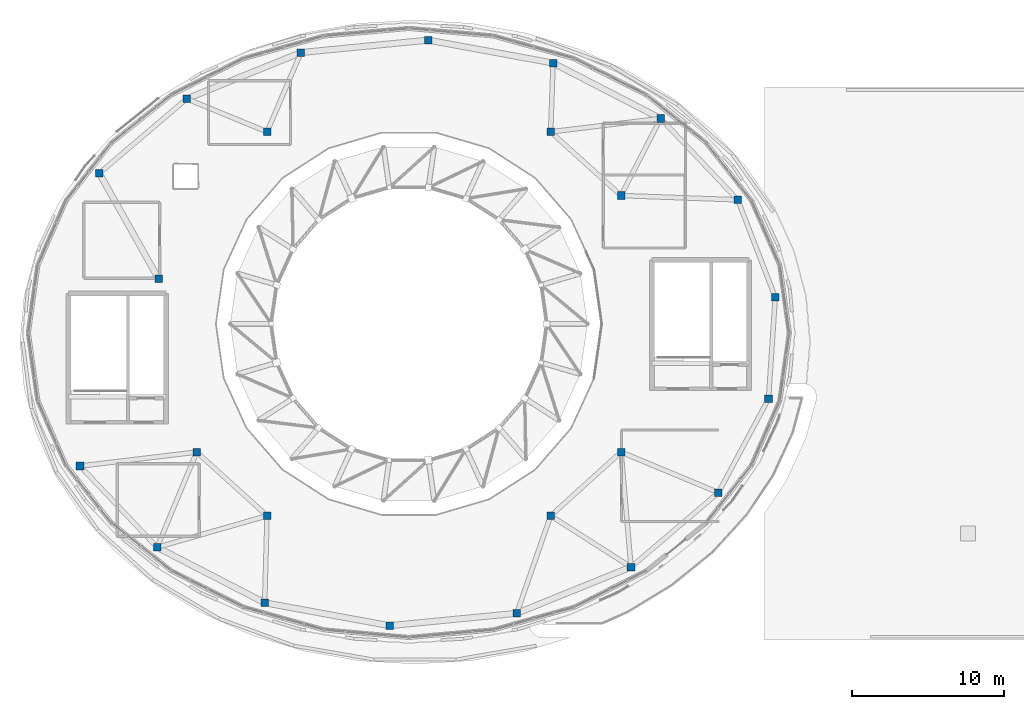
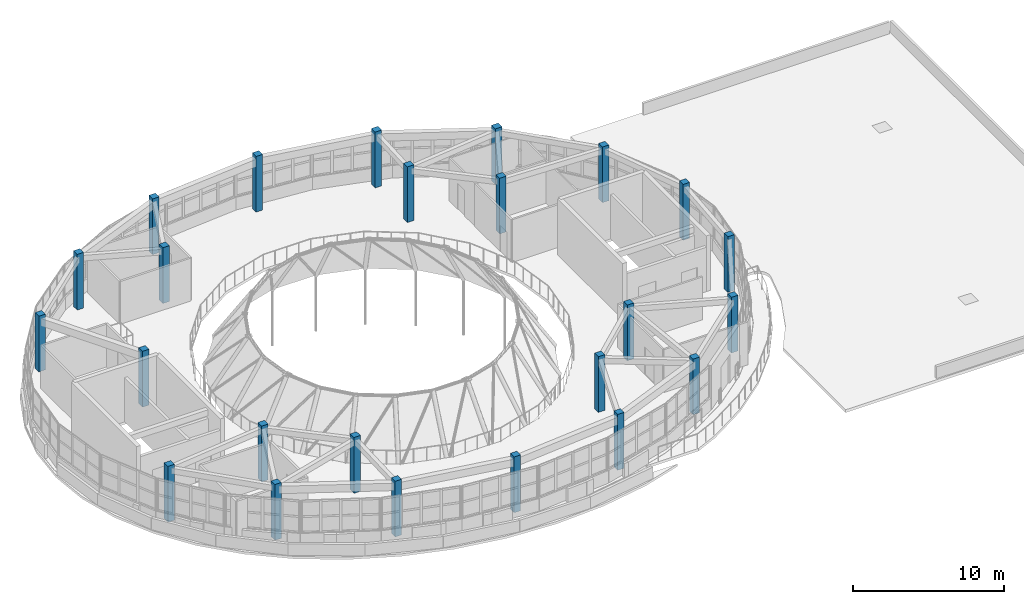
# One storey, part 1 of 38: 24 columns.
"""IFC4 building model written with IfcOpenShell, lengths in metres."""

from ifc_helpers import new_model, si_unit, direction, frame, origin, origin_2d, place, context, subcontext, project, spatial, rectangle, extrude, material, material_profile, profile_set, type_object, element, save


model = new_model("IFC4")

# Units and contexts
model_context = context("Model", 3, precision=1e-05, world=origin(), true_north=direction((0.0, 1.0)))
body_context = subcontext(model_context, "Body", "Model", "MODEL_VIEW")
ifc_project = project(units=[si_unit("LENGTHUNIT", "METRE"), si_unit("AREAUNIT", "SQUARE_METRE"), si_unit("VOLUMEUNIT", "CUBIC_METRE"), si_unit("PLANEANGLEUNIT", "RADIAN"), si_unit("MASSUNIT", "GRAM", prefix="KILO")], contexts=[model_context])

# Site, building, storey
site_placement = place(None, origin())
site = spatial("IfcSite", under=ifc_project, at=site_placement, CompositionType="ELEMENT")
building_placement = place(site_placement, origin())
building = spatial("IfcBuilding", under=site, at=building_placement, Name="Pelvatis Terrace Science Centre", CompositionType="ELEMENT")
storey_placement = place(building_placement, frame((0.0, 0.0, 24.300048828125)))
storey = spatial("IfcBuildingStorey", under=building, at=storey_placement, Name="L05", CompositionType="ELEMENT", Elevation=24.300048828125)

# Columns
ifc_material = material(Name="Concrete C40/50", Category="concrete")
ifc_material_profile = material_profile(ifc_material, rectangle(XDim=0.5, YDim=0.5, at=origin_2d()), Name="RC-COL 500x500")
ifc_profile_set = profile_set([ifc_material_profile], Name="Concrete C40/50")
column_type = type_object("IfcColumnType", Name="COL-RC-500x500", PredefinedType="COLUMN", material=ifc_profile_set)
for number, where, z_axis, x_axis, name in (
    (1, (133.31884765625, 87.552001953125, 0.0), (0.0, 0.0, 1.0), (1.0, 0.0, 0.0), "Column V1E-RF-01 (L05)"),
    (2, (130.8515625, 93.9619140625, 0.0), (0.0, 0.0, 1.0), (1.0, 0.0, 0.0), "Column V1E-RF-02 (L05)"),
    (3, (125.772705078125, 99.315185546875, 0.0), (0.0, 0.0, 1.0), (1.0, 0.0, 0.0), "Column V1E-RF-03 (L05)"),
    (4, (118.69482421875, 102.9658203125, 0.0), (0.0, 0.0, 1.0), (1.0, 0.0, 0.0), "Column V1E-RF-04 (L05)"),
    (5, (110.4716796875, 104.4736328125, 0.0), (0.0, 0.0, 1.0), (1.0, 0.0, 0.0), "Column V1E-RF-05 (L05)"),
    (6, (102.095458984375, 103.65673828125, 0.0), (0.0, 0.0, 1.0), (1.0, 0.0, 0.0), "Column V1E-RF-06 (L05)"),
    (7, (94.575927734375, 100.61376953125, 0.0), (0.0, 0.0, 1.0), (1.0, 0.0, 0.0), "Column V1E-RF-07 (L05)"),
    (8, (88.8203125, 95.71142578125, 0.0), (0.0, 0.0, 1.0), (1.0, 0.0, 0.0), "Column V1E-RF-08 (L05)"),
    (9, (87.548583984375, 76.43798828125, 0.0), (0.0, 0.0, 1.0), (1.0, 0.0, 0.0), "Column V1E-RF-11 (L05)"),
    (10, (92.62744140625, 71.0849609375, 0.0), (0.0, 0.0, 1.0), (1.0, 0.0, 0.0), "Column V1E-RF-12 (L05)"),
    (11, (99.705078125, 67.434326171875, 0.0), (0.0, 0.0, 1.0), (1.0, 0.0, 0.0), "Column V1E-RF-13 (L05)"),
    (12, (107.92822265625, 65.926513671875, 0.0), (0.0, 0.0, 1.0), (1.0, 0.0, 0.0), "Column V1E-RF-14 (L05)"),
    (13, (116.3046875, 66.743408203125, 0.0), (0.0, 0.0, 1.0), (1.0, 0.0, 0.0), "Column V1E-RF-15 (L05)"),
    (14, (123.82421875, 69.786376953125, 0.0), (0.0, 0.0, 1.0), (1.0, 0.0, 0.0), "Column V1E-RF-16 (L05)"),
    (15, (129.57958984375, 74.6884765625, 0.0), (0.0, 0.0, 1.0), (1.0, 0.0, 0.0), "Column V1E-RF-17 (L05)"),
    (16, (132.877197265625, 80.8583984375, 0.0), (0.0, 0.0, 1.0), (1.0, 0.0, 0.0), "Column V1E-RF-18 (L05)"),
    (17, (123.168701171875, 94.24462890625, 0.0), (0.0, 0.0, 1.0), (1.0, 0.0, 0.0), "Column V1E-IN-02 (L05)"),
    (18, (118.53369140625, 98.438232421875, 0.0), (0.0, 0.0, 1.0), (1.0, 0.0, 0.0), "Column V1E-IN-03 (L05)"),
    (19, (99.866455078125, 98.438232421875, 0.0), (0.0, 0.0, 1.0), (1.0, 0.0, 0.0), "Column V1E-IN-06 (L05)"),
    (20, (92.722900390625, 88.765380859375, 0.0), (0.0, 0.0, 1.0), (1.0, 0.0, 0.0), "Column V1E-IN-08 (L05)"),
    (21, (95.231201171875, 77.355224609375, 0.0), (0.0, 0.0, 1.0), (1.0, 0.0, 0.0), "Column V1E-IN-10 (L05)"),
    (22, (99.866455078125, 73.16162109375, 0.0), (0.0, 0.0, 1.0), (1.0, 0.0, 0.0), "Column V1E-IN-11 (L05)"),
    (23, (118.53369140625, 73.16162109375, 0.0), (0.0, 0.0, 1.0), (1.0, 0.0, 0.0), "Column V1E-IN-14 (L05)"),
    (24, (123.168701171875, 77.355224609375, 0.0), (0.0, 0.0, 1.0), (1.0, 0.0, 0.0), "Column V1E-IN-15 (L05)"),
):
    element("IfcColumn", number, at=place(storey_placement, frame(where, z_axis=z_axis, x_axis=x_axis)), inside=storey, type_object=column_type, Name=name, PredefinedType="COLUMN", context=body_context, shape_type="SweptSolid", body=[
        extrude(rectangle(XDim=0.5, YDim=0.5, at=origin_2d()), origin(), (0.0, 0.0, 1.0), 4.5),
    ])

save(model, "model.ifc")
